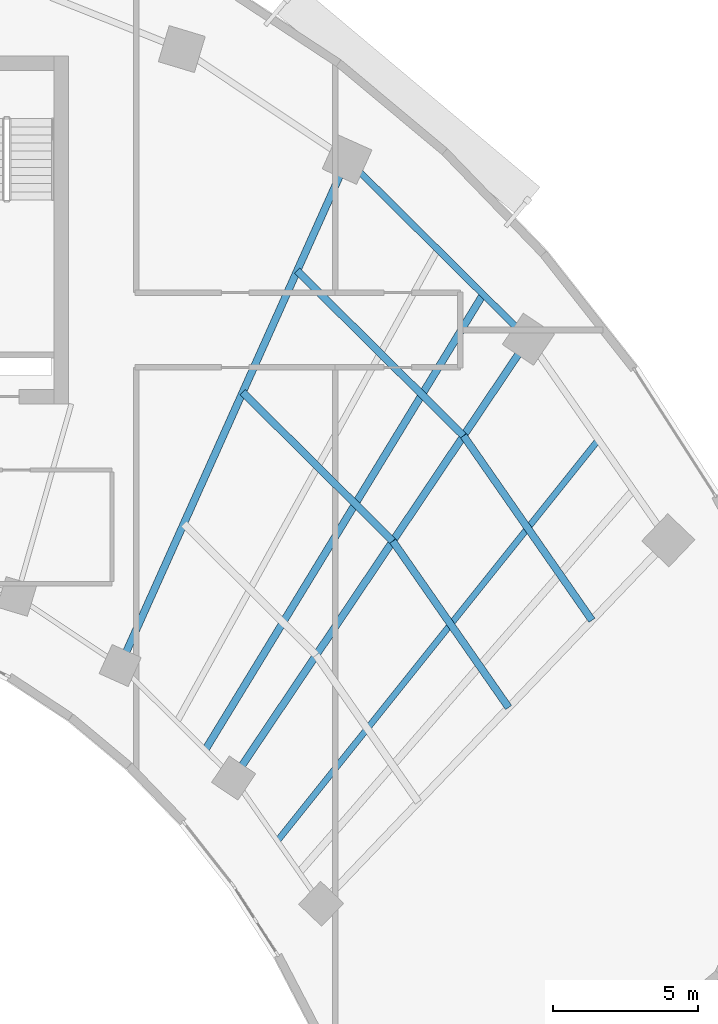
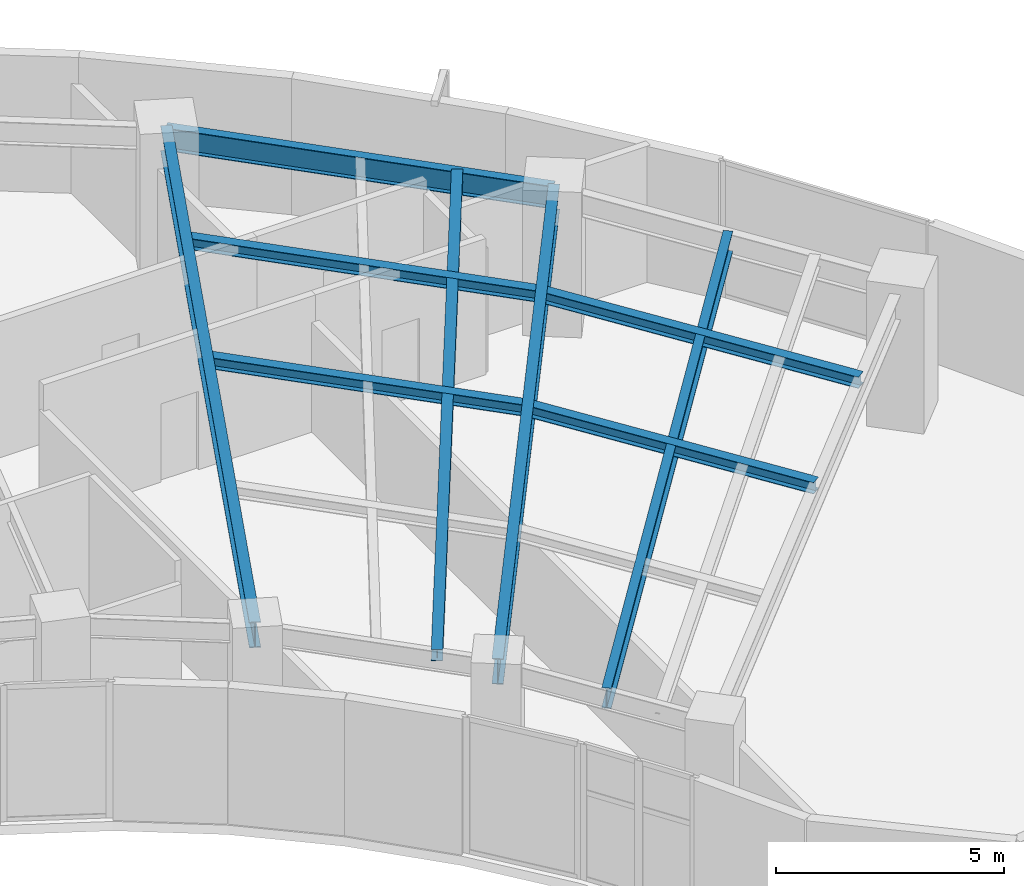
# One storey, part 4 of 13: 9 beams.
"""IFC4 building model written with IfcOpenShell, lengths in metres."""

from ifc_helpers import new_model, si_unit, direction, frame, origin, origin_2d, place, context, subcontext, project, spatial, i_section, extrude, source, transform, mapped, material, material_profile, profile_set, type_object, element, save


model = new_model("IFC4")

# Units and contexts
model_context = context("Model", 3, precision=1e-05, world=origin(), true_north=direction((0.0, 1.0)))
body_context = subcontext(model_context, "Body", "Model", "MODEL_VIEW")
ifc_project = project(units=[si_unit("LENGTHUNIT", "METRE"), si_unit("AREAUNIT", "SQUARE_METRE"), si_unit("VOLUMEUNIT", "CUBIC_METRE"), si_unit("PLANEANGLEUNIT", "RADIAN"), si_unit("MASSUNIT", "GRAM", prefix="KILO")], contexts=[model_context])

# Site, building, storey
site_placement = place(None, origin())
site = spatial("IfcSite", under=ifc_project, at=site_placement, CompositionType="ELEMENT")
building_placement = place(site_placement, origin())
building = spatial("IfcBuilding", under=site, at=building_placement, Name="Breltana Convention Tower", CompositionType="ELEMENT")
storey_placement = place(building_placement, frame((0.0, 0.0, 107.699951171875)))
storey = spatial("IfcBuildingStorey", under=building, at=storey_placement, Name="L25", CompositionType="ELEMENT", Elevation=107.699951171875)

# Beams
ifc_material = material(Name="Steel ASTM A992 Grade 50", Category="steel")
ifc_material_profile_1 = material_profile(ifc_material, i_section(OverallWidth=0.25390625, OverallDepth=0.68798828125, WebThickness=0.01318359375, FlangeThickness=0.02099609375, at=origin_2d()), Name="W27X102")
ifc_profile_set_1 = profile_set([ifc_material_profile_1], Name="Steel ASTM A992 Grade 50")
beam_type_1 = type_object("IfcBeamType", Name="BM-RG-W27X102", PredefinedType="USERDEFINED", material=ifc_profile_set_1)
shared_shape_1 = source(origin(), body_context, "Body", "SweptSolid", [
    extrude(i_section(OverallWidth=0.25390625, OverallDepth=0.68798828125, WebThickness=0.01318359375, FlangeThickness=0.02099609375, at=origin_2d()), origin(), (0.0, 0.0, 1.0), 19.133544921875),
])
beam_1_placement = place(storey_placement, frame((61.08203125, 51.174560546875, 3.30615234375), z_axis=(0.409144564164, 0.912469575172, 0.0), x_axis=(-0.912469575172, 0.409144564164, 0.0)))
element("IfcBeam", 1, at=beam_1_placement, inside=storey, type_object=beam_type_1, Name="L25 Radial Floor Girder R09", ObjectType="GIRDER", PredefinedType="USERDEFINED", context=body_context, shape_type="MappedRepresentation", body=[
    mapped(shared_shape_1, transform((0.0, 0.0, 0.0), scale=1.0)),
])
shared_shape_2 = source(origin(), body_context, "Body", "SweptSolid", [
    extrude(i_section(OverallWidth=0.25390625, OverallDepth=0.68798828125, WebThickness=0.01318359375, FlangeThickness=0.02099609375, at=origin_2d()), origin(), (0.0, 0.0, 1.0), 18.236328125),
])
beam_2_placement = place(storey_placement, frame((64.995849609375, 47.293701171875, 3.30615234375), z_axis=(0.557730360975, 0.830022195153, 0.0), x_axis=(-0.830022195153, 0.557730360975, 0.0)))
element("IfcBeam", 2, at=beam_2_placement, inside=storey, type_object=beam_type_1, Name="L25 Radial Floor Girder R10", ObjectType="GIRDER", PredefinedType="USERDEFINED", context=body_context, shape_type="MappedRepresentation", body=[
    mapped(shared_shape_2, transform((0.0, 0.0, 0.0), scale=1.0)),
])
ifc_material_profile_2 = material_profile(ifc_material, i_section(OverallWidth=0.22802734375, OverallDepth=0.60791015625, WebThickness=0.01123046875, FlangeThickness=0.017333984375, at=origin_2d()), Name="W24X76")
ifc_profile_set_2 = profile_set([ifc_material_profile_2], Name="Steel ASTM A992 Grade 50")
beam_type_2 = type_object("IfcBeamType", Name="BM-SP-W24X76", PredefinedType="SPANDREL", material=ifc_profile_set_2)
shared_shape_3 = source(origin(), body_context, "Body", "SweptSolid", [
    extrude(i_section(OverallWidth=0.22802734375, OverallDepth=0.60791015625, WebThickness=0.01123046875, FlangeThickness=0.017333984375, at=origin_2d()), origin(), (0.0, 0.0, 1.0), 8.810302734375),
])
beam_3_placement = place(storey_placement, frame((68.910400390625, 68.63330078125, 3.345947265625), z_axis=(0.710120823582, -0.704079836322, 0.0), x_axis=(0.704079836322, 0.710120823582, 0.0)))
element("IfcBeam", 3, at=beam_3_placement, inside=storey, type_object=beam_type_2, Name="L25 Outer Spandrel Beam 09", PredefinedType="SPANDREL", context=body_context, shape_type="MappedRepresentation", body=[
    mapped(shared_shape_3, transform((0.0, 0.0, 0.0), scale=1.0)),
])
ifc_material_profile_3 = material_profile(ifc_material, i_section(OverallWidth=0.25390625, OverallDepth=0.305908203125, WebThickness=0.0087890625, FlangeThickness=0.0146484375, at=origin_2d()), Name="W12X53")
ifc_profile_set_3 = profile_set([ifc_material_profile_3], Name="Steel ASTM A992 Grade 50")
beam_type_3 = type_object("IfcBeamType", Name="BM-JSG-10", PredefinedType="JOIST", material=ifc_profile_set_3)
shared_shape_4 = source(origin(), body_context, "Body", "SweptSolid", [
    extrude(i_section(OverallWidth=0.25390625, OverallDepth=0.305908203125, WebThickness=0.0087890625, FlangeThickness=0.0146484375, at=origin_2d()), origin(), (0.0, 0.0, 1.0), 7.29296875),
])
beam_4_placement = place(storey_placement, frame((65.309326171875, 60.602294921875, 3.4970703125), z_axis=(0.710096551013, -0.704104316305, 0.0), x_axis=(0.704104316305, 0.710096551013, 0.0)))
element("IfcBeam", 4, at=beam_4_placement, inside=storey, type_object=beam_type_3, Name="L25 Composite Floor Joist 09.2", PredefinedType="JOIST", context=body_context, shape_type="MappedRepresentation", body=[
    mapped(shared_shape_4, transform((0.0, 0.0, 0.0), scale=1.0)),
])
shared_shape_5 = source(origin(), body_context, "Body", "SweptSolid", [
    extrude(i_section(OverallWidth=0.25390625, OverallDepth=0.305908203125, WebThickness=0.0087890625, FlangeThickness=0.0146484375, at=origin_2d()), origin(), (0.0, 0.0, 1.0), 8.084716796875),
])
beam_5_placement = place(storey_placement, frame((67.188232421875, 64.79248046875, 3.4970703125), z_axis=(0.710105094548, -0.704095699956, 0.0), x_axis=(0.704095699956, 0.710105094548, 0.0)))
element("IfcBeam", 5, at=beam_5_placement, inside=storey, type_object=beam_type_3, Name="L25 Composite Floor Joist 09.3", PredefinedType="JOIST", context=body_context, shape_type="MappedRepresentation", body=[
    mapped(shared_shape_5, transform((0.0, 0.0, 0.0), scale=1.0)),
])
shared_shape_6 = source(origin(), body_context, "Body", "SweptSolid", [
    extrude(i_section(OverallWidth=0.25390625, OverallDepth=0.305908203125, WebThickness=0.0087890625, FlangeThickness=0.0146484375, at=origin_2d()), origin(), (0.0, 0.0, 1.0), 18.409423828125),
])
beam_6_placement = place(storey_placement, frame((64.017333984375, 48.263916015625, 3.4970703125), z_axis=(0.520682167606, 0.853750596098, 0.0), x_axis=(-0.853750596098, 0.520682167606, 0.0)))
element("IfcBeam", 6, at=beam_6_placement, inside=storey, type_object=beam_type_3, Name="L25 Quarter-Bay Radial Trimmer 09", PredefinedType="JOIST", context=body_context, shape_type="MappedRepresentation", body=[
    mapped(shared_shape_6, transform((0.0, 0.0, 0.0), scale=1.0)),
])
shared_shape_7 = source(origin(), body_context, "Body", "SweptSolid", [
    extrude(i_section(OverallWidth=0.25390625, OverallDepth=0.305908203125, WebThickness=0.0087890625, FlangeThickness=0.0146484375, at=origin_2d()), origin(), (0.0, 0.0, 1.0), 6.99462890625),
])
beam_7_placement = place(storey_placement, frame((70.488037109375, 55.46728515625, 3.4970703125), z_axis=(0.571206630732, -0.820806301759, 0.0), x_axis=(0.820806301759, 0.571206630732, 0.0)))
element("IfcBeam", 7, at=beam_7_placement, inside=storey, type_object=beam_type_3, Name="L25 Composite Floor Joist 10.2", PredefinedType="JOIST", context=body_context, shape_type="MappedRepresentation", body=[
    mapped(shared_shape_7, transform((0.0, 0.0, 0.0), scale=1.0)),
])
shared_shape_8 = source(origin(), body_context, "Body", "SweptSolid", [
    extrude(i_section(OverallWidth=0.25390625, OverallDepth=0.305908203125, WebThickness=0.0087890625, FlangeThickness=0.0146484375, at=origin_2d()), origin(), (0.0, 0.0, 1.0), 7.75390625),
])
beam_8_placement = place(storey_placement, frame((72.92919921875, 59.10009765625, 3.4970703125), z_axis=(0.57119271264, -0.820815987312, 0.0), x_axis=(0.820815987312, 0.57119271264, 0.0)))
element("IfcBeam", 8, at=beam_8_placement, inside=storey, type_object=beam_type_3, Name="L25 Composite Floor Joist 10.3", PredefinedType="JOIST", context=body_context, shape_type="MappedRepresentation", body=[
    mapped(shared_shape_8, transform((0.0, 0.0, 0.0), scale=1.0)),
])
ifc_material_profile_4 = material_profile(ifc_material, i_section(OverallWidth=0.214111328125, OverallDepth=0.549072265625, WebThickness=0.0146484375, FlangeThickness=0.023681640625, at=origin_2d()), Name="W21X93")
ifc_profile_set_4 = profile_set([ifc_material_profile_4], Name="Steel ASTM A992 Grade 50")
beam_type_4 = type_object("IfcBeamType", Name="BM-JSG-03", PredefinedType="JOIST", material=ifc_profile_set_4)
shared_shape_9 = source(origin(), body_context, "Body", "SweptSolid", [
    extrude(i_section(OverallWidth=0.214111328125, OverallDepth=0.549072265625, WebThickness=0.0146484375, FlangeThickness=0.023681640625, at=origin_2d()), origin(), (0.0, 0.0, 1.0), 17.7236328125),
])
beam_9_placement = place(storey_placement, frame((66.505615234375, 45.124267578125, 3.37548828125), z_axis=(0.624829427563, 0.78076128647, 0.0), x_axis=(-0.78076128647, 0.624829427563, 0.0)))
element("IfcBeam", 9, at=beam_9_placement, inside=storey, type_object=beam_type_4, Name="L25 Mid-Bay Radial Trimmer 10", PredefinedType="JOIST", context=body_context, shape_type="MappedRepresentation", body=[
    mapped(shared_shape_9, transform((0.0, 0.0, 0.0), scale=1.0)),
])

save(model, "model.ifc")
